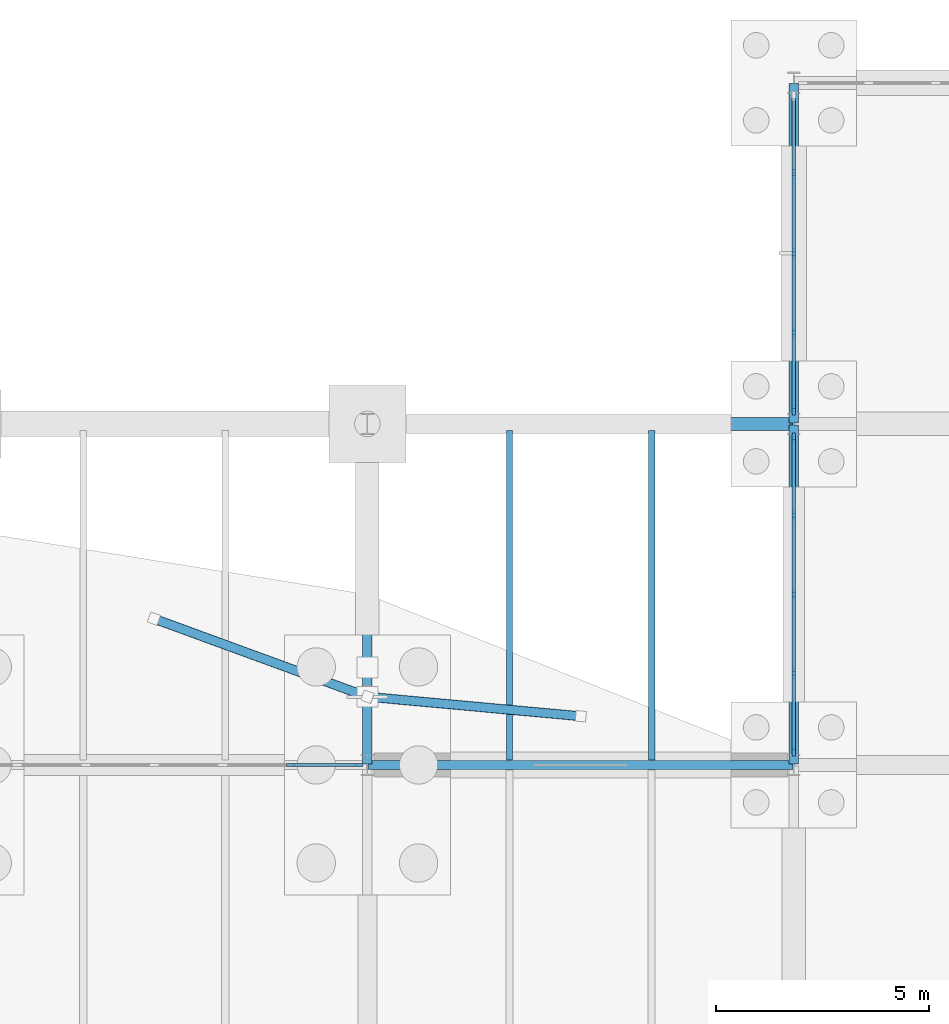
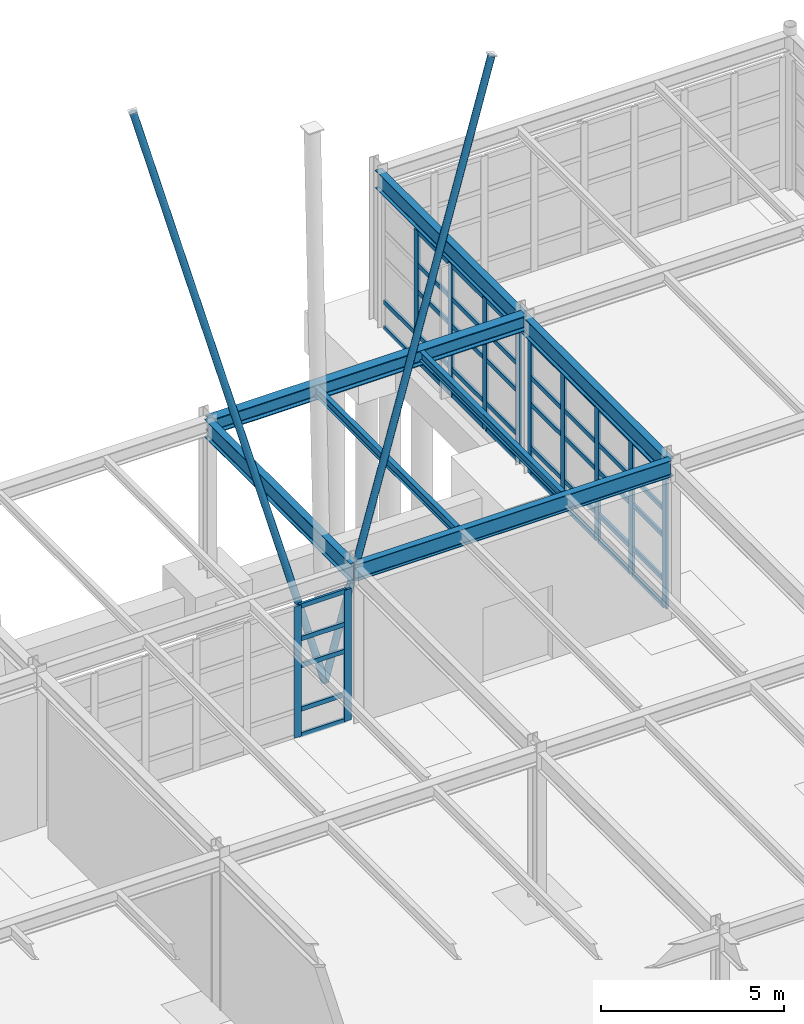
# One storey, part 61 of 145: 55 members, 7 beams, 3 elements without a shape of their own.
"""IFC4 building model written with IfcOpenShell, lengths in metres."""

from ifc_helpers import new_model, si_unit, direction, frame, origin, origin_2d, place, context, subcontext, project, spatial, rectangle, hollow_circle, i_section, extrude, material, layer, layer_set, material_profile, profile_set, type_object, element, aggregate, save


model = new_model("IFC4")

# Units and contexts
model_context = context("Model", 3, precision=1e-05, world=origin(), true_north=direction((0.0, 1.0)))
body_context = subcontext(model_context, "Body", "Model", "MODEL_VIEW")
ifc_project = project(units=[si_unit("LENGTHUNIT", "METRE"), si_unit("AREAUNIT", "SQUARE_METRE"), si_unit("VOLUMEUNIT", "CUBIC_METRE"), si_unit("PLANEANGLEUNIT", "RADIAN"), si_unit("MASSUNIT", "GRAM", prefix="KILO"), si_unit("THERMODYNAMICTEMPERATUREUNIT", "KELVIN"), si_unit("POWERUNIT", "WATT")], contexts=[model_context])

# Site, building, storey
site_placement = place(None, origin())
site = spatial("IfcSite", under=ifc_project, at=site_placement, CompositionType="ELEMENT")
building_placement = place(site_placement, origin())
building = spatial("IfcBuilding", under=site, at=building_placement, Name="Korenveer Ferry Terminal", CompositionType="ELEMENT")
storey_placement = place(building_placement, origin())
storey = spatial("IfcBuildingStorey", under=building, at=storey_placement, Name="L00", CompositionType="ELEMENT", Elevation=0.0)

# Curtain wall, members
ifc_material_1 = material(Name="Unitised bronze-and-glass curtain wall", Category="glass")
ifc_layer_1 = layer(ifc_material_1, 0.219970703125)
ifc_layer_set_1 = layer_set([ifc_layer_1], Name="Unitised bronze-and-glass curtain wall")
curtain_wall_type_1 = type_object("IfcCurtainWallType", Name="ENV-CW-15", PredefinedType="USERDEFINED", material=ifc_layer_set_1)
curtain_wall_1_placement = place(storey_placement, frame((103.179931640625, 100.0, 0.0)))
curtain_wall_1 = element("IfcCurtainWall", 1, at=curtain_wall_1_placement, inside=storey, type_object=curtain_wall_type_1, Name="Lancet curtain wall CWX-L00-X103-113-Y100-100", ObjectType="UNITISED CURTAIN WALL", PredefinedType="USERDEFINED")
ifc_material_2 = material(Name="Anodised bronze aluminium", Category="aluminium")
ifc_material_profile_1 = material_profile(ifc_material_2, rectangle(XDim=0.074951171875, YDim=0.219970703125, at=origin_2d()), Name="ALU 75x220")
ifc_profile_set_1 = profile_set([ifc_material_profile_1], Name="Anodised bronze aluminium")
member_type_1 = type_object("IfcMemberType", Name="ENV-CWM-75X220", PredefinedType="MULLION", material=ifc_profile_set_1)
member_1_placement = place(storey_placement, frame((111.21337890625, 100.0, 0.0), z_axis=(0.0, 0.0, 1.0), x_axis=(0.0, 1.0, 0.0)))
member_1 = element("IfcMember", 2, at=member_1_placement, type_object=member_type_1, Name="CW-15 mullion 6", PredefinedType="MULLION", context=body_context, shape_type="SweptSolid", body=[
    extrude(rectangle(XDim=0.074951171875, YDim=0.219970703125, at=origin_2d()), origin(), (0.0, 0.0, 1.0), 4.3798828125),
])
member_2_placement = place(storey_placement, frame((112.782470703125, 100.0, 0.0), z_axis=(0.0, 0.0, 1.0), x_axis=(0.0, 1.0, 0.0)))
member_2 = element("IfcMember", 3, at=member_2_placement, type_object=member_type_1, Name="CW-15 mullion 7", PredefinedType="MULLION", context=body_context, shape_type="SweptSolid", body=[
    extrude(rectangle(XDim=0.074951171875, YDim=0.219970703125, at=origin_2d()), origin(), (0.0, 0.0, 1.0), 4.3798828125),
])

ifc_layer_2 = layer(ifc_material_1, 0.219970703125)
ifc_layer_set_2 = layer_set([ifc_layer_2], Name="Unitised bronze-and-glass curtain wall")
curtain_wall_type_2 = type_object("IfcCurtainWallType", Name="ENV-CW-28", PredefinedType="USERDEFINED", material=ifc_layer_set_2)
curtain_wall_2_placement = place(storey_placement, frame((123.0, 100.280029296875, 0.0)))
curtain_wall_2 = element("IfcCurtainWall", 4, at=curtain_wall_2_placement, inside=storey, type_object=curtain_wall_type_2, Name="Lancet curtain wall CWX-L00-X123-123-Y100-108", ObjectType="UNITISED CURTAIN WALL", PredefinedType="USERDEFINED")
member_3_placement = place(storey_placement, frame((123.0, 100.3173828125, 0.0), z_axis=(0.0, 0.0, 1.0), x_axis=(-1.0, 0.0, 0.0)))
member_3 = element("IfcMember", 5, at=member_3_placement, type_object=member_type_1, Name="CW-28 mullion 1", PredefinedType="MULLION", context=body_context, shape_type="SweptSolid", body=[
    extrude(rectangle(XDim=0.074951171875, YDim=0.219970703125, at=origin_2d()), origin(), (0.0, 0.0, 1.0), 4.489990234375),
])
member_4_placement = place(storey_placement, frame((123.0, 102.139892578125, 0.0), z_axis=(0.0, 0.0, 1.0), x_axis=(-1.0, 0.0, 0.0)))
member_4 = element("IfcMember", 6, at=member_4_placement, type_object=member_type_1, Name="CW-28 mullion 2", PredefinedType="MULLION", context=body_context, shape_type="SweptSolid", body=[
    extrude(rectangle(XDim=0.074951171875, YDim=0.219970703125, at=origin_2d()), origin(), (0.0, 0.0, 1.0), 4.489990234375),
])
member_5_placement = place(storey_placement, frame((123.0, 104.0, 0.0), z_axis=(0.0, 0.0, 1.0), x_axis=(-1.0, 0.0, 0.0)))
member_5 = element("IfcMember", 7, at=member_5_placement, type_object=member_type_1, Name="CW-28 mullion 3", PredefinedType="MULLION", context=body_context, shape_type="SweptSolid", body=[
    extrude(rectangle(XDim=0.074951171875, YDim=0.219970703125, at=origin_2d()), origin(), (0.0, 0.0, 1.0), 4.489990234375),
])
member_6_placement = place(storey_placement, frame((123.0, 105.860107421875, 0.0), z_axis=(0.0, 0.0, 1.0), x_axis=(-1.0, 0.0, 0.0)))
member_6 = element("IfcMember", 8, at=member_6_placement, type_object=member_type_1, Name="CW-28 mullion 4", PredefinedType="MULLION", context=body_context, shape_type="SweptSolid", body=[
    extrude(rectangle(XDim=0.074951171875, YDim=0.219970703125, at=origin_2d()), origin(), (0.0, 0.0, 1.0), 4.489990234375),
])
member_7_placement = place(storey_placement, frame((123.0, 107.6826171875, 0.0), z_axis=(0.0, 0.0, 1.0), x_axis=(-1.0, 0.0, 0.0)))
member_7 = element("IfcMember", 9, at=member_7_placement, type_object=member_type_1, Name="CW-28 mullion 5", PredefinedType="MULLION", context=body_context, shape_type="SweptSolid", body=[
    extrude(rectangle(XDim=0.074951171875, YDim=0.219970703125, at=origin_2d()), origin(), (0.0, 0.0, 1.0), 4.489990234375),
])

ifc_layer_3 = layer(ifc_material_1, 0.219970703125)
ifc_layer_set_3 = layer_set([ifc_layer_3], Name="Unitised bronze-and-glass curtain wall")
curtain_wall_type_3 = type_object("IfcCurtainWallType", Name="ENV-CW-29", PredefinedType="USERDEFINED", material=ifc_layer_set_3)
curtain_wall_3_placement = place(storey_placement, frame((123.0, 108.280029296875, 0.0)))
curtain_wall_3 = element("IfcCurtainWall", 10, at=curtain_wall_3_placement, inside=storey, type_object=curtain_wall_type_3, Name="Lancet curtain wall CWX-L00-X123-123-Y108-116", ObjectType="UNITISED CURTAIN WALL", PredefinedType="USERDEFINED")
member_8_placement = place(storey_placement, frame((123.0, 108.3173828125, 0.0), z_axis=(0.0, 0.0, 1.0), x_axis=(-1.0, 0.0, 0.0)))
member_8 = element("IfcMember", 11, at=member_8_placement, type_object=member_type_1, Name="CW-29 mullion 1", PredefinedType="MULLION", context=body_context, shape_type="SweptSolid", body=[
    extrude(rectangle(XDim=0.074951171875, YDim=0.219970703125, at=origin_2d()), origin(), (0.0, 0.0, 1.0), 4.389892578125),
])
member_9_placement = place(storey_placement, frame((123.0, 110.139892578125, 0.0), z_axis=(0.0, 0.0, 1.0), x_axis=(-1.0, 0.0, 0.0)))
member_9 = element("IfcMember", 12, at=member_9_placement, type_object=member_type_1, Name="CW-29 mullion 2", PredefinedType="MULLION", context=body_context, shape_type="SweptSolid", body=[
    extrude(rectangle(XDim=0.074951171875, YDim=0.219970703125, at=origin_2d()), origin(), (0.0, 0.0, 1.0), 4.389892578125),
])
member_10_placement = place(storey_placement, frame((123.0, 112.0, 0.0), z_axis=(0.0, 0.0, 1.0), x_axis=(-1.0, 0.0, 0.0)))
member_10 = element("IfcMember", 13, at=member_10_placement, type_object=member_type_1, Name="CW-29 mullion 3", PredefinedType="MULLION", context=body_context, shape_type="SweptSolid", body=[
    extrude(rectangle(XDim=0.074951171875, YDim=0.219970703125, at=origin_2d()), origin(), (0.0, 0.0, 1.0), 4.389892578125),
])
member_11_placement = place(storey_placement, frame((123.0, 113.860107421875, 0.0), z_axis=(0.0, 0.0, 1.0), x_axis=(-1.0, 0.0, 0.0)))
member_11 = element("IfcMember", 14, at=member_11_placement, type_object=member_type_1, Name="CW-29 mullion 4", PredefinedType="MULLION", context=body_context, shape_type="SweptSolid", body=[
    extrude(rectangle(XDim=0.074951171875, YDim=0.219970703125, at=origin_2d()), origin(), (0.0, 0.0, 1.0), 4.389892578125),
])

# Member
ifc_material_profile_2 = material_profile(ifc_material_2, rectangle(XDim=0.074951171875, YDim=0.14990234375, at=origin_2d()), Name="ALU 75x150")
ifc_profile_set_2 = profile_set([ifc_material_profile_2], Name="Anodised bronze aluminium")
member_type_2 = type_object("IfcMemberType", Name="ENV-CWT-75X150", PredefinedType="USERDEFINED", material=ifc_profile_set_2)
member_12_placement = place(storey_placement, frame((111.250732421875, 100.0, 0.03759765625), z_axis=(1.0, 0.0, 0.0), x_axis=(0.0, 1.0, 0.0)))
member_12 = element("IfcMember", 15, at=member_12_placement, type_object=member_type_2, Name="CW-15 transom 6.1", ObjectType="TRANSOM", PredefinedType="USERDEFINED", context=body_context, shape_type="SweptSolid", body=[
    extrude(rectangle(XDim=0.074951171875, YDim=0.14990234375, at=origin_2d()), origin(), (0.0, 0.0, 1.0), 1.494384765625),
])

member_13_placement = place(storey_placement, frame((111.250732421875, 100.0, 0.89990234375), z_axis=(1.0, 0.0, 0.0), x_axis=(0.0, 1.0, 0.0)))
member_13 = element("IfcMember", 16, at=member_13_placement, type_object=member_type_2, Name="CW-15 transom 6.2", ObjectType="TRANSOM", PredefinedType="USERDEFINED", context=body_context, shape_type="SweptSolid", body=[
    extrude(rectangle(XDim=0.074951171875, YDim=0.14990234375, at=origin_2d()), origin(), (0.0, 0.0, 1.0), 1.494384765625),
])

member_14_placement = place(storey_placement, frame((111.250732421875, 100.0, 2.35009765625), z_axis=(1.0, 0.0, 0.0), x_axis=(0.0, 1.0, 0.0)))
member_14 = element("IfcMember", 17, at=member_14_placement, type_object=member_type_2, Name="CW-15 transom 6.3", ObjectType="TRANSOM", PredefinedType="USERDEFINED", context=body_context, shape_type="SweptSolid", body=[
    extrude(rectangle(XDim=0.074951171875, YDim=0.14990234375, at=origin_2d()), origin(), (0.0, 0.0, 1.0), 1.494384765625),
])

member_15_placement = place(storey_placement, frame((111.250732421875, 100.0, 3.25), z_axis=(1.0, 0.0, 0.0), x_axis=(0.0, 1.0, 0.0)))
member_15 = element("IfcMember", 18, at=member_15_placement, type_object=member_type_2, Name="CW-15 transom 6.4", ObjectType="TRANSOM", PredefinedType="USERDEFINED", context=body_context, shape_type="SweptSolid", body=[
    extrude(rectangle(XDim=0.074951171875, YDim=0.14990234375, at=origin_2d()), origin(), (0.0, 0.0, 1.0), 1.494384765625),
])

member_16_placement = place(storey_placement, frame((111.250732421875, 100.0, 4.342529296875), z_axis=(1.0, 0.0, 0.0), x_axis=(0.0, 1.0, 0.0)))
member_16 = element("IfcMember", 19, at=member_16_placement, type_object=member_type_2, Name="CW-15 transom 6.5", ObjectType="TRANSOM", PredefinedType="USERDEFINED", context=body_context, shape_type="SweptSolid", body=[
    extrude(rectangle(XDim=0.074951171875, YDim=0.14990234375, at=origin_2d()), origin(), (0.0, 0.0, 1.0), 1.494384765625),
])

aggregate(curtain_wall_1, [member_1, member_2, member_12, member_13, member_14, member_15, member_16])

member_17_placement = place(storey_placement, frame((123.0, 100.35498046875, 0.03759765625), z_axis=(0.0, 1.0, 0.0), x_axis=(-1.0, 0.0, 0.0)))
member_17 = element("IfcMember", 20, at=member_17_placement, type_object=member_type_2, Name="CW-28 transom 1.1", ObjectType="TRANSOM", PredefinedType="USERDEFINED", context=body_context, shape_type="SweptSolid", body=[
    extrude(rectangle(XDim=0.074951171875, YDim=0.14990234375, at=origin_2d()), origin(), (0.0, 0.0, 1.0), 1.74755859375),
])

member_18_placement = place(storey_placement, frame((123.0, 100.35498046875, 0.89990234375), z_axis=(0.0, 1.0, 0.0), x_axis=(-1.0, 0.0, 0.0)))
member_18 = element("IfcMember", 21, at=member_18_placement, type_object=member_type_2, Name="CW-28 transom 1.2", ObjectType="TRANSOM", PredefinedType="USERDEFINED", context=body_context, shape_type="SweptSolid", body=[
    extrude(rectangle(XDim=0.074951171875, YDim=0.14990234375, at=origin_2d()), origin(), (0.0, 0.0, 1.0), 1.74755859375),
])

member_19_placement = place(storey_placement, frame((123.0, 100.35498046875, 2.35009765625), z_axis=(0.0, 1.0, 0.0), x_axis=(-1.0, 0.0, 0.0)))
member_19 = element("IfcMember", 22, at=member_19_placement, type_object=member_type_2, Name="CW-28 transom 1.3", ObjectType="TRANSOM", PredefinedType="USERDEFINED", context=body_context, shape_type="SweptSolid", body=[
    extrude(rectangle(XDim=0.074951171875, YDim=0.14990234375, at=origin_2d()), origin(), (0.0, 0.0, 1.0), 1.74755859375),
])

member_20_placement = place(storey_placement, frame((123.0, 100.35498046875, 3.25), z_axis=(0.0, 1.0, 0.0), x_axis=(-1.0, 0.0, 0.0)))
member_20 = element("IfcMember", 23, at=member_20_placement, type_object=member_type_2, Name="CW-28 transom 1.4", ObjectType="TRANSOM", PredefinedType="USERDEFINED", context=body_context, shape_type="SweptSolid", body=[
    extrude(rectangle(XDim=0.074951171875, YDim=0.14990234375, at=origin_2d()), origin(), (0.0, 0.0, 1.0), 1.74755859375),
])

member_21_placement = place(storey_placement, frame((123.0, 100.35498046875, 4.452392578125), z_axis=(0.0, 1.0, 0.0), x_axis=(-1.0, 0.0, 0.0)))
member_21 = element("IfcMember", 24, at=member_21_placement, type_object=member_type_2, Name="CW-28 transom 1.5", ObjectType="TRANSOM", PredefinedType="USERDEFINED", context=body_context, shape_type="SweptSolid", body=[
    extrude(rectangle(XDim=0.074951171875, YDim=0.14990234375, at=origin_2d()), origin(), (0.0, 0.0, 1.0), 1.74755859375),
])

member_22_placement = place(storey_placement, frame((123.0, 102.177490234375, 0.03759765625), z_axis=(0.0, 1.0, 0.0), x_axis=(-1.0, 0.0, 0.0)))
member_22 = element("IfcMember", 25, at=member_22_placement, type_object=member_type_2, Name="CW-28 transom 2.1", ObjectType="TRANSOM", PredefinedType="USERDEFINED", context=body_context, shape_type="SweptSolid", body=[
    extrude(rectangle(XDim=0.074951171875, YDim=0.14990234375, at=origin_2d()), origin(), (0.0, 0.0, 1.0), 1.784912109375),
])

member_23_placement = place(storey_placement, frame((123.0, 102.177490234375, 0.89990234375), z_axis=(0.0, 1.0, 0.0), x_axis=(-1.0, 0.0, 0.0)))
member_23 = element("IfcMember", 26, at=member_23_placement, type_object=member_type_2, Name="CW-28 transom 2.2", ObjectType="TRANSOM", PredefinedType="USERDEFINED", context=body_context, shape_type="SweptSolid", body=[
    extrude(rectangle(XDim=0.074951171875, YDim=0.14990234375, at=origin_2d()), origin(), (0.0, 0.0, 1.0), 1.784912109375),
])

member_24_placement = place(storey_placement, frame((123.0, 102.177490234375, 2.35009765625), z_axis=(0.0, 1.0, 0.0), x_axis=(-1.0, 0.0, 0.0)))
member_24 = element("IfcMember", 27, at=member_24_placement, type_object=member_type_2, Name="CW-28 transom 2.3", ObjectType="TRANSOM", PredefinedType="USERDEFINED", context=body_context, shape_type="SweptSolid", body=[
    extrude(rectangle(XDim=0.074951171875, YDim=0.14990234375, at=origin_2d()), origin(), (0.0, 0.0, 1.0), 1.784912109375),
])

member_25_placement = place(storey_placement, frame((123.0, 102.177490234375, 3.25), z_axis=(0.0, 1.0, 0.0), x_axis=(-1.0, 0.0, 0.0)))
member_25 = element("IfcMember", 28, at=member_25_placement, type_object=member_type_2, Name="CW-28 transom 2.4", ObjectType="TRANSOM", PredefinedType="USERDEFINED", context=body_context, shape_type="SweptSolid", body=[
    extrude(rectangle(XDim=0.074951171875, YDim=0.14990234375, at=origin_2d()), origin(), (0.0, 0.0, 1.0), 1.784912109375),
])

member_26_placement = place(storey_placement, frame((123.0, 102.177490234375, 4.452392578125), z_axis=(0.0, 1.0, 0.0), x_axis=(-1.0, 0.0, 0.0)))
member_26 = element("IfcMember", 29, at=member_26_placement, type_object=member_type_2, Name="CW-28 transom 2.5", ObjectType="TRANSOM", PredefinedType="USERDEFINED", context=body_context, shape_type="SweptSolid", body=[
    extrude(rectangle(XDim=0.074951171875, YDim=0.14990234375, at=origin_2d()), origin(), (0.0, 0.0, 1.0), 1.784912109375),
])

member_27_placement = place(storey_placement, frame((123.0, 104.03759765625, 0.03759765625), z_axis=(0.0, 1.0, 0.0), x_axis=(-1.0, 0.0, 0.0)))
member_27 = element("IfcMember", 30, at=member_27_placement, type_object=member_type_2, Name="CW-28 transom 3.1", ObjectType="TRANSOM", PredefinedType="USERDEFINED", context=body_context, shape_type="SweptSolid", body=[
    extrude(rectangle(XDim=0.074951171875, YDim=0.14990234375, at=origin_2d()), origin(), (0.0, 0.0, 1.0), 1.784912109375),
])

member_28_placement = place(storey_placement, frame((123.0, 104.03759765625, 0.89990234375), z_axis=(0.0, 1.0, 0.0), x_axis=(-1.0, 0.0, 0.0)))
member_28 = element("IfcMember", 31, at=member_28_placement, type_object=member_type_2, Name="CW-28 transom 3.2", ObjectType="TRANSOM", PredefinedType="USERDEFINED", context=body_context, shape_type="SweptSolid", body=[
    extrude(rectangle(XDim=0.074951171875, YDim=0.14990234375, at=origin_2d()), origin(), (0.0, 0.0, 1.0), 1.784912109375),
])

member_29_placement = place(storey_placement, frame((123.0, 104.03759765625, 2.35009765625), z_axis=(0.0, 1.0, 0.0), x_axis=(-1.0, 0.0, 0.0)))
member_29 = element("IfcMember", 32, at=member_29_placement, type_object=member_type_2, Name="CW-28 transom 3.3", ObjectType="TRANSOM", PredefinedType="USERDEFINED", context=body_context, shape_type="SweptSolid", body=[
    extrude(rectangle(XDim=0.074951171875, YDim=0.14990234375, at=origin_2d()), origin(), (0.0, 0.0, 1.0), 1.784912109375),
])

member_30_placement = place(storey_placement, frame((123.0, 104.03759765625, 3.25), z_axis=(0.0, 1.0, 0.0), x_axis=(-1.0, 0.0, 0.0)))
member_30 = element("IfcMember", 33, at=member_30_placement, type_object=member_type_2, Name="CW-28 transom 3.4", ObjectType="TRANSOM", PredefinedType="USERDEFINED", context=body_context, shape_type="SweptSolid", body=[
    extrude(rectangle(XDim=0.074951171875, YDim=0.14990234375, at=origin_2d()), origin(), (0.0, 0.0, 1.0), 1.784912109375),
])

member_31_placement = place(storey_placement, frame((123.0, 104.03759765625, 4.452392578125), z_axis=(0.0, 1.0, 0.0), x_axis=(-1.0, 0.0, 0.0)))
member_31 = element("IfcMember", 34, at=member_31_placement, type_object=member_type_2, Name="CW-28 transom 3.5", ObjectType="TRANSOM", PredefinedType="USERDEFINED", context=body_context, shape_type="SweptSolid", body=[
    extrude(rectangle(XDim=0.074951171875, YDim=0.14990234375, at=origin_2d()), origin(), (0.0, 0.0, 1.0), 1.784912109375),
])

member_32_placement = place(storey_placement, frame((123.0, 105.8974609375, 0.03759765625), z_axis=(0.0, 1.0, 0.0), x_axis=(-1.0, 0.0, 0.0)))
member_32 = element("IfcMember", 35, at=member_32_placement, type_object=member_type_2, Name="CW-28 transom 4.1", ObjectType="TRANSOM", PredefinedType="USERDEFINED", context=body_context, shape_type="SweptSolid", body=[
    extrude(rectangle(XDim=0.074951171875, YDim=0.14990234375, at=origin_2d()), origin(), (0.0, 0.0, 1.0), 1.74755859375),
])

member_33_placement = place(storey_placement, frame((123.0, 105.8974609375, 0.89990234375), z_axis=(0.0, 1.0, 0.0), x_axis=(-1.0, 0.0, 0.0)))
member_33 = element("IfcMember", 36, at=member_33_placement, type_object=member_type_2, Name="CW-28 transom 4.2", ObjectType="TRANSOM", PredefinedType="USERDEFINED", context=body_context, shape_type="SweptSolid", body=[
    extrude(rectangle(XDim=0.074951171875, YDim=0.14990234375, at=origin_2d()), origin(), (0.0, 0.0, 1.0), 1.74755859375),
])

member_34_placement = place(storey_placement, frame((123.0, 105.8974609375, 2.35009765625), z_axis=(0.0, 1.0, 0.0), x_axis=(-1.0, 0.0, 0.0)))
member_34 = element("IfcMember", 37, at=member_34_placement, type_object=member_type_2, Name="CW-28 transom 4.3", ObjectType="TRANSOM", PredefinedType="USERDEFINED", context=body_context, shape_type="SweptSolid", body=[
    extrude(rectangle(XDim=0.074951171875, YDim=0.14990234375, at=origin_2d()), origin(), (0.0, 0.0, 1.0), 1.74755859375),
])

member_35_placement = place(storey_placement, frame((123.0, 105.8974609375, 3.25), z_axis=(0.0, 1.0, 0.0), x_axis=(-1.0, 0.0, 0.0)))
member_35 = element("IfcMember", 38, at=member_35_placement, type_object=member_type_2, Name="CW-28 transom 4.4", ObjectType="TRANSOM", PredefinedType="USERDEFINED", context=body_context, shape_type="SweptSolid", body=[
    extrude(rectangle(XDim=0.074951171875, YDim=0.14990234375, at=origin_2d()), origin(), (0.0, 0.0, 1.0), 1.74755859375),
])

member_36_placement = place(storey_placement, frame((123.0, 105.8974609375, 4.452392578125), z_axis=(0.0, 1.0, 0.0), x_axis=(-1.0, 0.0, 0.0)))
member_36 = element("IfcMember", 39, at=member_36_placement, type_object=member_type_2, Name="CW-28 transom 4.5", ObjectType="TRANSOM", PredefinedType="USERDEFINED", context=body_context, shape_type="SweptSolid", body=[
    extrude(rectangle(XDim=0.074951171875, YDim=0.14990234375, at=origin_2d()), origin(), (0.0, 0.0, 1.0), 1.74755859375),
])

aggregate(curtain_wall_2, [member_3, member_4, member_5, member_6, member_7, member_17, member_18, member_19, member_20, member_21, member_22, member_23, member_24, member_25, member_26, member_27, member_28, member_29, member_30, member_31, member_32, member_33, member_34, member_35, member_36])

member_37_placement = place(storey_placement, frame((123.0, 108.35498046875, 0.03759765625), z_axis=(0.0, 1.0, 0.0), x_axis=(-1.0, 0.0, 0.0)))
member_37 = element("IfcMember", 40, at=member_37_placement, type_object=member_type_2, Name="CW-29 transom 1.1", ObjectType="TRANSOM", PredefinedType="USERDEFINED", context=body_context, shape_type="SweptSolid", body=[
    extrude(rectangle(XDim=0.074951171875, YDim=0.14990234375, at=origin_2d()), origin(), (0.0, 0.0, 1.0), 1.74755859375),
])

member_38_placement = place(storey_placement, frame((123.0, 108.35498046875, 0.89990234375), z_axis=(0.0, 1.0, 0.0), x_axis=(-1.0, 0.0, 0.0)))
member_38 = element("IfcMember", 41, at=member_38_placement, type_object=member_type_2, Name="CW-29 transom 1.2", ObjectType="TRANSOM", PredefinedType="USERDEFINED", context=body_context, shape_type="SweptSolid", body=[
    extrude(rectangle(XDim=0.074951171875, YDim=0.14990234375, at=origin_2d()), origin(), (0.0, 0.0, 1.0), 1.74755859375),
])

member_39_placement = place(storey_placement, frame((123.0, 108.35498046875, 2.35009765625), z_axis=(0.0, 1.0, 0.0), x_axis=(-1.0, 0.0, 0.0)))
member_39 = element("IfcMember", 42, at=member_39_placement, type_object=member_type_2, Name="CW-29 transom 1.3", ObjectType="TRANSOM", PredefinedType="USERDEFINED", context=body_context, shape_type="SweptSolid", body=[
    extrude(rectangle(XDim=0.074951171875, YDim=0.14990234375, at=origin_2d()), origin(), (0.0, 0.0, 1.0), 1.74755859375),
])

member_40_placement = place(storey_placement, frame((123.0, 108.35498046875, 3.25), z_axis=(0.0, 1.0, 0.0), x_axis=(-1.0, 0.0, 0.0)))
member_40 = element("IfcMember", 43, at=member_40_placement, type_object=member_type_2, Name="CW-29 transom 1.4", ObjectType="TRANSOM", PredefinedType="USERDEFINED", context=body_context, shape_type="SweptSolid", body=[
    extrude(rectangle(XDim=0.074951171875, YDim=0.14990234375, at=origin_2d()), origin(), (0.0, 0.0, 1.0), 1.74755859375),
])

member_41_placement = place(storey_placement, frame((123.0, 108.35498046875, 4.3525390625), z_axis=(0.0, 1.0, 0.0), x_axis=(-1.0, 0.0, 0.0)))
member_41 = element("IfcMember", 44, at=member_41_placement, type_object=member_type_2, Name="CW-29 transom 1.5", ObjectType="TRANSOM", PredefinedType="USERDEFINED", context=body_context, shape_type="SweptSolid", body=[
    extrude(rectangle(XDim=0.074951171875, YDim=0.14990234375, at=origin_2d()), origin(), (0.0, 0.0, 1.0), 1.74755859375),
])

member_42_placement = place(storey_placement, frame((123.0, 110.177490234375, 0.03759765625), z_axis=(0.0, 1.0, 0.0), x_axis=(-1.0, 0.0, 0.0)))
member_42 = element("IfcMember", 45, at=member_42_placement, type_object=member_type_2, Name="CW-29 transom 2.1", ObjectType="TRANSOM", PredefinedType="USERDEFINED", context=body_context, shape_type="SweptSolid", body=[
    extrude(rectangle(XDim=0.074951171875, YDim=0.14990234375, at=origin_2d()), origin(), (0.0, 0.0, 1.0), 1.784912109375),
])

member_43_placement = place(storey_placement, frame((123.0, 110.177490234375, 0.89990234375), z_axis=(0.0, 1.0, 0.0), x_axis=(-1.0, 0.0, 0.0)))
member_43 = element("IfcMember", 46, at=member_43_placement, type_object=member_type_2, Name="CW-29 transom 2.2", ObjectType="TRANSOM", PredefinedType="USERDEFINED", context=body_context, shape_type="SweptSolid", body=[
    extrude(rectangle(XDim=0.074951171875, YDim=0.14990234375, at=origin_2d()), origin(), (0.0, 0.0, 1.0), 1.784912109375),
])

member_44_placement = place(storey_placement, frame((123.0, 110.177490234375, 2.35009765625), z_axis=(0.0, 1.0, 0.0), x_axis=(-1.0, 0.0, 0.0)))
member_44 = element("IfcMember", 47, at=member_44_placement, type_object=member_type_2, Name="CW-29 transom 2.3", ObjectType="TRANSOM", PredefinedType="USERDEFINED", context=body_context, shape_type="SweptSolid", body=[
    extrude(rectangle(XDim=0.074951171875, YDim=0.14990234375, at=origin_2d()), origin(), (0.0, 0.0, 1.0), 1.784912109375),
])

member_45_placement = place(storey_placement, frame((123.0, 110.177490234375, 3.25), z_axis=(0.0, 1.0, 0.0), x_axis=(-1.0, 0.0, 0.0)))
member_45 = element("IfcMember", 48, at=member_45_placement, type_object=member_type_2, Name="CW-29 transom 2.4", ObjectType="TRANSOM", PredefinedType="USERDEFINED", context=body_context, shape_type="SweptSolid", body=[
    extrude(rectangle(XDim=0.074951171875, YDim=0.14990234375, at=origin_2d()), origin(), (0.0, 0.0, 1.0), 1.784912109375),
])

member_46_placement = place(storey_placement, frame((123.0, 110.177490234375, 4.3525390625), z_axis=(0.0, 1.0, 0.0), x_axis=(-1.0, 0.0, 0.0)))
member_46 = element("IfcMember", 49, at=member_46_placement, type_object=member_type_2, Name="CW-29 transom 2.5", ObjectType="TRANSOM", PredefinedType="USERDEFINED", context=body_context, shape_type="SweptSolid", body=[
    extrude(rectangle(XDim=0.074951171875, YDim=0.14990234375, at=origin_2d()), origin(), (0.0, 0.0, 1.0), 1.784912109375),
])

member_47_placement = place(storey_placement, frame((123.0, 112.03759765625, 0.03759765625), z_axis=(0.0, 1.0, 0.0), x_axis=(-1.0, 0.0, 0.0)))
member_47 = element("IfcMember", 50, at=member_47_placement, type_object=member_type_2, Name="CW-29 transom 3.1", ObjectType="TRANSOM", PredefinedType="USERDEFINED", context=body_context, shape_type="SweptSolid", body=[
    extrude(rectangle(XDim=0.074951171875, YDim=0.14990234375, at=origin_2d()), origin(), (0.0, 0.0, 1.0), 1.784912109375),
])

member_48_placement = place(storey_placement, frame((123.0, 112.03759765625, 0.89990234375), z_axis=(0.0, 1.0, 0.0), x_axis=(-1.0, 0.0, 0.0)))
member_48 = element("IfcMember", 51, at=member_48_placement, type_object=member_type_2, Name="CW-29 transom 3.2", ObjectType="TRANSOM", PredefinedType="USERDEFINED", context=body_context, shape_type="SweptSolid", body=[
    extrude(rectangle(XDim=0.074951171875, YDim=0.14990234375, at=origin_2d()), origin(), (0.0, 0.0, 1.0), 1.784912109375),
])

member_49_placement = place(storey_placement, frame((123.0, 112.03759765625, 2.35009765625), z_axis=(0.0, 1.0, 0.0), x_axis=(-1.0, 0.0, 0.0)))
member_49 = element("IfcMember", 52, at=member_49_placement, type_object=member_type_2, Name="CW-29 transom 3.3", ObjectType="TRANSOM", PredefinedType="USERDEFINED", context=body_context, shape_type="SweptSolid", body=[
    extrude(rectangle(XDim=0.074951171875, YDim=0.14990234375, at=origin_2d()), origin(), (0.0, 0.0, 1.0), 1.784912109375),
])

member_50_placement = place(storey_placement, frame((123.0, 112.03759765625, 3.25), z_axis=(0.0, 1.0, 0.0), x_axis=(-1.0, 0.0, 0.0)))
member_50 = element("IfcMember", 53, at=member_50_placement, type_object=member_type_2, Name="CW-29 transom 3.4", ObjectType="TRANSOM", PredefinedType="USERDEFINED", context=body_context, shape_type="SweptSolid", body=[
    extrude(rectangle(XDim=0.074951171875, YDim=0.14990234375, at=origin_2d()), origin(), (0.0, 0.0, 1.0), 1.784912109375),
])

member_51_placement = place(storey_placement, frame((123.0, 112.03759765625, 4.3525390625), z_axis=(0.0, 1.0, 0.0), x_axis=(-1.0, 0.0, 0.0)))
member_51 = element("IfcMember", 54, at=member_51_placement, type_object=member_type_2, Name="CW-29 transom 3.5", ObjectType="TRANSOM", PredefinedType="USERDEFINED", context=body_context, shape_type="SweptSolid", body=[
    extrude(rectangle(XDim=0.074951171875, YDim=0.14990234375, at=origin_2d()), origin(), (0.0, 0.0, 1.0), 1.784912109375),
])

member_52_placement = place(storey_placement, frame((123.0, 113.8974609375, 0.03759765625), z_axis=(0.0, 1.0, 0.0), x_axis=(-1.0, 0.0, 0.0)))
member_52 = element("IfcMember", 55, at=member_52_placement, type_object=member_type_2, Name="CW-29 transom 4.1", ObjectType="TRANSOM", PredefinedType="USERDEFINED", context=body_context, shape_type="SweptSolid", body=[
    extrude(rectangle(XDim=0.074951171875, YDim=0.14990234375, at=origin_2d()), origin(), (0.0, 0.0, 1.0), 1.74755859375),
])

member_53_placement = place(storey_placement, frame((123.0, 113.8974609375, 0.89990234375), z_axis=(0.0, 1.0, 0.0), x_axis=(-1.0, 0.0, 0.0)))
member_53 = element("IfcMember", 56, at=member_53_placement, type_object=member_type_2, Name="CW-29 transom 4.2", ObjectType="TRANSOM", PredefinedType="USERDEFINED", context=body_context, shape_type="SweptSolid", body=[
    extrude(rectangle(XDim=0.074951171875, YDim=0.14990234375, at=origin_2d()), origin(), (0.0, 0.0, 1.0), 1.74755859375),
])

aggregate(curtain_wall_3, [member_8, member_9, member_10, member_11, member_37, member_38, member_39, member_40, member_41, member_42, member_43, member_44, member_45, member_46, member_47, member_48, member_49, member_50, member_51, member_52, member_53])

# Beams
ifc_material_3 = material(Name="Steel S355", Category="steel")
ifc_material_profile_3 = material_profile(ifc_material_3, i_section(OverallWidth=0.300048828125, OverallDepth=0.5, WebThickness=0.014404296875, FlangeThickness=0.028076171875, FilletRadius=0.027099609375, at=origin_2d()), Name="HEB 500")
ifc_profile_set_3 = profile_set([ifc_material_profile_3], Name="Steel S355")
beam_type_1 = type_object("IfcBeamType", Name="STR-BM-HEB500", PredefinedType="BEAM", material=ifc_profile_set_3)
beam_1_placement = place(storey_placement, frame((113.02001953125, 108.0, 4.909912109375), z_axis=(1.0, 0.0, 0.0), x_axis=(0.0, 1.0, 0.0)))
element("IfcBeam", 57, at=beam_1_placement, inside=storey, type_object=beam_type_1, Name="Primary X girder BMX-L01-X113-123-Y108", PredefinedType="BEAM", context=body_context, shape_type="SweptSolid", body=[
    extrude(i_section(OverallWidth=0.300048828125, OverallDepth=0.5, WebThickness=0.014404296875, FlangeThickness=0.028076171875, FilletRadius=0.027099609375, at=origin_2d()), origin(), (0.0, 0.0, 1.0), 9.9599609375),
])
ifc_material_profile_4 = material_profile(ifc_material_3, i_section(OverallWidth=0.2099609375, OverallDepth=0.550048828125, WebThickness=0.010986328125, FlangeThickness=0.01708984375, FilletRadius=0.02392578125, at=origin_2d()), Name="IPE 550")
ifc_profile_set_4 = profile_set([ifc_material_profile_4], Name="Steel S355")
beam_type_2 = type_object("IfcBeamType", Name="STR-BM-IPE550", PredefinedType="BEAM", material=ifc_profile_set_4)
beam_2_placement = place(storey_placement, frame((113.02001953125, 100.0, 4.885009765625), z_axis=(1.0, 0.0, 0.0), x_axis=(0.0, 1.0, 0.0)))
element("IfcBeam", 58, at=beam_2_placement, inside=storey, type_object=beam_type_2, Name="Primary X girder BMX-L01-X113-123-Y100", PredefinedType="BEAM", context=body_context, shape_type="SweptSolid", body=[
    extrude(i_section(OverallWidth=0.2099609375, OverallDepth=0.550048828125, WebThickness=0.010986328125, FlangeThickness=0.01708984375, FilletRadius=0.02392578125, at=origin_2d()), origin(), (0.0, 0.0, 1.0), 9.9599609375),
])
ifc_material_profile_5 = material_profile(ifc_material_3, i_section(OverallWidth=0.219970703125, OverallDepth=0.60009765625, WebThickness=0.011962890625, FlangeThickness=0.01904296875, FilletRadius=0.02392578125, at=origin_2d()), Name="IPE 600")
ifc_profile_set_5 = profile_set([ifc_material_profile_5], Name="Steel S355")
beam_type_3 = type_object("IfcBeamType", Name="STR-BM-IPE600", PredefinedType="BEAM", material=ifc_profile_set_5)
for number, where, z_axis, x_axis, name in (
    (59, (113.0, 100.02001953125, 4.860107421875), (0.0, 1.0, 0.0), (-1.0, 0.0, 0.0), "Primary Y girder BMY-L01-X113-Y100-108"),
    (60, (123.0, 100.02001953125, 4.820068359375), (0.0, 1.0, 0.0), (-1.0, 0.0, 0.0), "Primary Y girder BMY-L01-X123-Y100-108"),
    (61, (123.0, 108.02001953125, 4.820068359375), (0.0, 1.0, 0.0), (-1.0, 0.0, 0.0), "Primary Y girder BMY-L01-X123-Y108-116"),
):
    element("IfcBeam", number, at=place(storey_placement, frame(where, z_axis=z_axis, x_axis=x_axis)), inside=storey, type_object=beam_type_3, Name=name, PredefinedType="BEAM", context=body_context, shape_type="SweptSolid", body=[
        extrude(i_section(OverallWidth=0.219970703125, OverallDepth=0.60009765625, WebThickness=0.011962890625, FlangeThickness=0.01904296875, FilletRadius=0.02392578125, at=origin_2d()), origin(), (0.0, 0.0, 1.0), 7.9599609375),
    ])
ifc_material_profile_6 = material_profile(ifc_material_3, i_section(OverallWidth=0.14990234375, OverallDepth=0.300048828125, WebThickness=0.007080078125, FlangeThickness=0.0107421875, FilletRadius=0.014892578125, at=origin_2d()), Name="IPE 300")
ifc_profile_set_6 = profile_set([ifc_material_profile_6], Name="Steel S355")
beam_type_4 = type_object("IfcBeamType", Name="STR-JST-IPE300", PredefinedType="JOIST", material=ifc_profile_set_6)
for number, where, z_axis, x_axis, name in (
    (62, (116.333251953125, 100.114990234375, 5.010009765625), (0.0, 1.0, 0.0), (-1.0, 0.0, 0.0), "Secondary composite joist JST-L01-X1163-Y100-108"),
    (63, (119.666748046875, 100.114990234375, 5.010009765625), (0.0, 1.0, 0.0), (-1.0, 0.0, 0.0), "Secondary composite joist JST-L01-X1197-Y100-108"),
):
    element("IfcBeam", number, at=place(storey_placement, frame(where, z_axis=z_axis, x_axis=x_axis)), inside=storey, type_object=beam_type_4, Name=name, PredefinedType="JOIST", context=body_context, shape_type="SweptSolid", body=[
        extrude(i_section(OverallWidth=0.14990234375, OverallDepth=0.300048828125, WebThickness=0.007080078125, FlangeThickness=0.0107421875, FilletRadius=0.014892578125, at=origin_2d()), origin(), (0.0, 0.0, 1.0), 7.72509765625),
    ])

# Members
ifc_material_profile_7 = material_profile(ifc_material_3, hollow_circle(Radius=0.109619140625, WallThickness=0.012451171875, at=origin_2d()), Name="CHS 219.1x12.5")
ifc_profile_set_7 = profile_set([ifc_material_profile_7], Name="Steel S355")
member_type_3 = type_object("IfcMemberType", Name="STR-STT-CHS219", PredefinedType="STRUT", material=ifc_profile_set_7)
member_54_placement = place(storey_placement, frame((113.0, 101.60009765625, 0.25), z_axis=(-0.245793170149, 0.089880129455, 0.965146247901), x_axis=(-0.343432571779, -0.939177336098, 0.0)))
element("IfcMember", 64, at=member_54_placement, inside=storey, type_object=member_type_3, Name="Waterfront prow V-strut VSTR-PRDG-108-113", PredefinedType="STRUT", context=body_context, shape_type="SweptSolid", body=[
    extrude(hollow_circle(Radius=0.109619140625, WallThickness=0.012451171875, at=origin_2d()), origin(), (0.0, 0.0, 1.0), 20.34228515625),
])
member_55_placement = place(storey_placement, frame((113.0, 101.60009765625, 0.25), z_axis=(0.249200700325, -0.022790669517, 0.968183658373), x_axis=(0.091074994177, 0.995844036702, 0.0)))
element("IfcMember", 65, at=member_55_placement, inside=storey, type_object=member_type_3, Name="Waterfront prow V-strut VSTR-PRDG-118-123", PredefinedType="STRUT", context=body_context, shape_type="SweptSolid", body=[
    extrude(hollow_circle(Radius=0.109619140625, WallThickness=0.012451171875, at=origin_2d()), origin(), (0.0, 0.0, 1.0), 20.064208984375),
])

save(model, "model.ifc")
